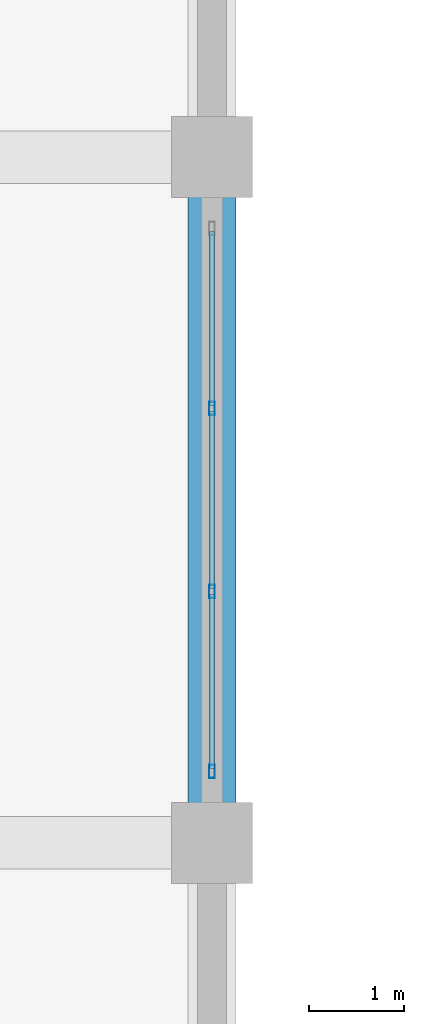
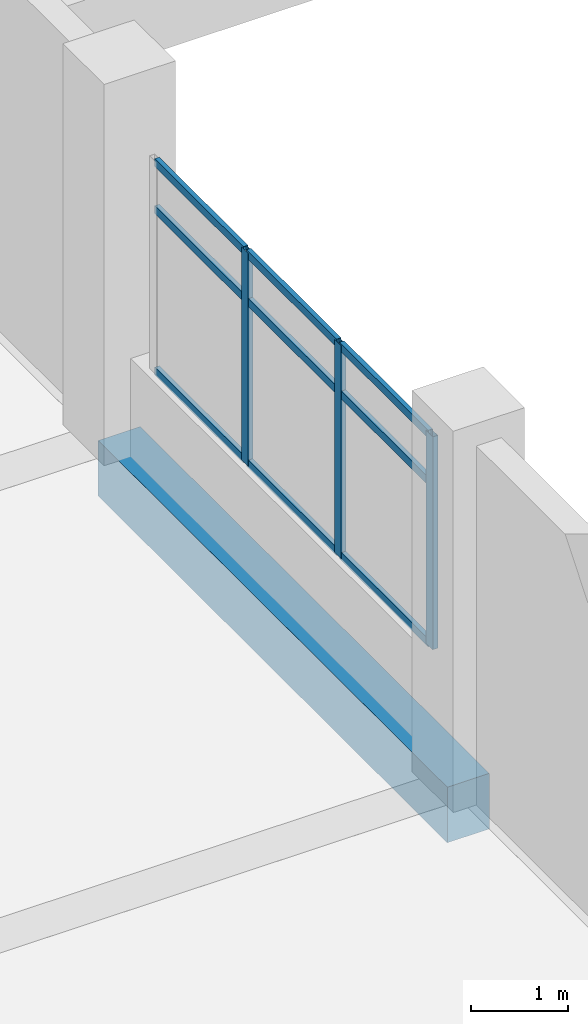
# One storey, part 28 of 181: 12 members, 1 beam, 1 element without a shape of its own.
"""IFC4 building model written with IfcOpenShell, lengths in metres."""

from ifc_helpers import new_model, si_unit, direction, frame, origin, origin_2d, place, context, subcontext, project, spatial, rectangle, hollow_rectangle, extrude, material, layer, layer_set, material_profile, profile_set, type_object, element, aggregate, save


model = new_model("IFC4")

# Units and contexts
model_context = context("Model", 3, precision=1e-05, world=origin(), true_north=direction((0.0, 1.0)))
body_context = subcontext(model_context, "Body", "Model", "MODEL_VIEW")
ifc_project = project(units=[si_unit("LENGTHUNIT", "METRE"), si_unit("AREAUNIT", "SQUARE_METRE"), si_unit("VOLUMEUNIT", "CUBIC_METRE"), si_unit("PLANEANGLEUNIT", "RADIAN"), si_unit("MASSUNIT", "GRAM", prefix="KILO")], contexts=[model_context])

# Site, building, storey
site_placement = place(None, origin())
site = spatial("IfcSite", under=ifc_project, at=site_placement, CompositionType="ELEMENT")
building_placement = place(site_placement, origin())
building = spatial("IfcBuilding", under=site, at=building_placement, Name="Seraya Terrace Polytechnic", CompositionType="ELEMENT")
storey_placement = place(building_placement, frame((0.0, 0.0, 4.800048828125)))
storey = spatial("IfcBuildingStorey", under=building, at=storey_placement, Name="L01", CompositionType="ELEMENT", Elevation=4.800048828125)

# Beam
ifc_material_1 = material(Name="Concrete C40/50", Category="concrete")
ifc_material_profile_1 = material_profile(ifc_material_1, rectangle(XDim=0.5, YDim=0.699951171875, at=origin_2d()), Name="RC 500x700")
ifc_profile_set_1 = profile_set([ifc_material_profile_1], Name="Concrete C40/50")
beam_type = type_object("IfcBeamType", Name="BM-07", PredefinedType="BEAM", material=ifc_profile_set_1)
beam_placement = place(storey_placement, frame((43.199951171875, 50.39990234375, -0.35009765625), z_axis=(0.0, 1.0, 0.0), x_axis=(-1.0, 0.0, 0.0)))
element("IfcBeam", 1, at=beam_placement, inside=storey, type_object=beam_type, Name="Beam BM-07 L01 Y (43.2, 50.4..57.6)", PredefinedType="BEAM", context=body_context, shape_type="SweptSolid", body=[
    extrude(rectangle(XDim=0.5, YDim=0.699951171875, at=origin_2d()), origin(), (0.0, 0.0, 1.0), 7.2001953125),
])

# Curtain wall, members
ifc_material_2 = material(Name="Anodised aluminium EN AW-6063 T6", Category="aluminium")
ifc_layer = layer(ifc_material_2, 0.179931640625, Name="CW-36")
ifc_layer_set = layer_set([ifc_layer], Name="Anodised aluminium EN AW-6063 T6")
curtain_wall_type = type_object("IfcCurtainWallType", Name="CW-36", PredefinedType="NOTDEFINED", material=ifc_layer_set)
curtain_wall_placement = place(storey_placement, origin())
curtain_wall = element("IfcCurtainWall", 2, at=curtain_wall_placement, inside=storey, type_object=curtain_wall_type, Name="Unitised curtain wall CW-36 (CW-L01-036)", PredefinedType="NOTDEFINED")
ifc_material_profile_2 = material_profile(ifc_material_2, hollow_rectangle(XDim=0.06005859375, YDim=0.139892578125, WallThickness=0.00341796875, at=origin_2d()), Name="RHS 140x60x3.5")
ifc_profile_set_2 = profile_set([ifc_material_profile_2], Name="Anodised aluminium EN AW-6063 T6")
member_type_1 = type_object("IfcMemberType", Name="CWM-03", PredefinedType="MULLION", material=ifc_profile_set_2)
member_1_placement = place(storey_placement, frame((43.199951171875, 54.9599609375, 1.239990234375), z_axis=(0.0, 0.0, 1.0), x_axis=(1.0, 0.0, 0.0)))
member_1 = element("IfcMember", 3, at=member_1_placement, type_object=member_type_1, Name="CW-36 mullion 2", PredefinedType="MULLION", context=body_context, shape_type="SweptSolid", body=[
    extrude(hollow_rectangle(XDim=0.06005859375, YDim=0.139892578125, WallThickness=0.00341796875, at=origin_2d()), origin(), (0.0, 0.0, 1.0), 2.679931640625),
])
member_2_placement = place(storey_placement, frame((43.199951171875, 53.0400390625, 1.239990234375), z_axis=(0.0, 0.0, 1.0), x_axis=(1.0, 0.0, 0.0)))
member_2 = element("IfcMember", 4, at=member_2_placement, type_object=member_type_1, Name="CW-36 mullion 3", PredefinedType="MULLION", context=body_context, shape_type="SweptSolid", body=[
    extrude(hollow_rectangle(XDim=0.06005859375, YDim=0.139892578125, WallThickness=0.00341796875, at=origin_2d()), origin(), (0.0, 0.0, 1.0), 2.679931640625),
])
member_3_placement = place(storey_placement, frame((43.199951171875, 51.14990234375, 1.239990234375), z_axis=(0.0, 0.0, 1.0), x_axis=(1.0, 0.0, 0.0)))
member_3 = element("IfcMember", 5, at=member_3_placement, type_object=member_type_1, Name="CW-36 mullion 4", PredefinedType="MULLION", context=body_context, shape_type="SweptSolid", body=[
    extrude(hollow_rectangle(XDim=0.06005859375, YDim=0.139892578125, WallThickness=0.00341796875, at=origin_2d()), origin(), (0.0, 0.0, 1.0), 2.679931640625),
])
ifc_material_profile_3 = material_profile(ifc_material_2, hollow_rectangle(XDim=0.054931640625, YDim=0.10009765625, WallThickness=0.0029296875, at=origin_2d()), Name="RHS 100x55x3.0")
ifc_profile_set_3 = profile_set([ifc_material_profile_3], Name="Anodised aluminium EN AW-6063 T6")
member_type_2 = type_object("IfcMemberType", Name="CWT-03", PredefinedType="USERDEFINED", material=ifc_profile_set_3)
member_4_placement = place(storey_placement, frame((43.199951171875, 56.820068359375, 1.267333984375), z_axis=(0.0, -1.0, 0.0), x_axis=(1.0, 0.0, 0.0)))
member_4 = element("IfcMember", 6, at=member_4_placement, type_object=member_type_2, Name="CW-36 transom 1.1", ObjectType="TRANSOM", PredefinedType="USERDEFINED", context=body_context, shape_type="SweptSolid", body=[
    extrude(hollow_rectangle(XDim=0.054931640625, YDim=0.10009765625, WallThickness=0.0029296875, at=origin_2d()), origin(), (0.0, 0.0, 1.0), 1.830078125),
])
member_5_placement = place(storey_placement, frame((43.199951171875, 56.820068359375, 3.300048828125), z_axis=(0.0, -1.0, 0.0), x_axis=(1.0, 0.0, 0.0)))
member_5 = element("IfcMember", 7, at=member_5_placement, type_object=member_type_2, Name="CW-36 transom 1.2", ObjectType="TRANSOM", PredefinedType="USERDEFINED", context=body_context, shape_type="SweptSolid", body=[
    extrude(hollow_rectangle(XDim=0.054931640625, YDim=0.10009765625, WallThickness=0.0029296875, at=origin_2d()), origin(), (0.0, 0.0, 1.0), 1.830078125),
])
member_6_placement = place(storey_placement, frame((43.199951171875, 56.820068359375, 3.892333984375), z_axis=(0.0, -1.0, 0.0), x_axis=(1.0, 0.0, 0.0)))
member_6 = element("IfcMember", 8, at=member_6_placement, type_object=member_type_2, Name="CW-36 transom 1.3", ObjectType="TRANSOM", PredefinedType="USERDEFINED", context=body_context, shape_type="SweptSolid", body=[
    extrude(hollow_rectangle(XDim=0.054931640625, YDim=0.10009765625, WallThickness=0.0029296875, at=origin_2d()), origin(), (0.0, 0.0, 1.0), 1.830078125),
])
member_7_placement = place(storey_placement, frame((43.199951171875, 54.929931640625, 1.267333984375), z_axis=(0.0, -1.0, 0.0), x_axis=(1.0, 0.0, 0.0)))
member_7 = element("IfcMember", 9, at=member_7_placement, type_object=member_type_2, Name="CW-36 transom 2.1", ObjectType="TRANSOM", PredefinedType="USERDEFINED", context=body_context, shape_type="SweptSolid", body=[
    extrude(hollow_rectangle(XDim=0.054931640625, YDim=0.10009765625, WallThickness=0.0029296875, at=origin_2d()), origin(), (0.0, 0.0, 1.0), 1.85986328125),
])
member_8_placement = place(storey_placement, frame((43.199951171875, 54.929931640625, 3.300048828125), z_axis=(0.0, -1.0, 0.0), x_axis=(1.0, 0.0, 0.0)))
member_8 = element("IfcMember", 10, at=member_8_placement, type_object=member_type_2, Name="CW-36 transom 2.2", ObjectType="TRANSOM", PredefinedType="USERDEFINED", context=body_context, shape_type="SweptSolid", body=[
    extrude(hollow_rectangle(XDim=0.054931640625, YDim=0.10009765625, WallThickness=0.0029296875, at=origin_2d()), origin(), (0.0, 0.0, 1.0), 1.85986328125),
])
member_9_placement = place(storey_placement, frame((43.199951171875, 54.929931640625, 3.892333984375), z_axis=(0.0, -1.0, 0.0), x_axis=(1.0, 0.0, 0.0)))
member_9 = element("IfcMember", 11, at=member_9_placement, type_object=member_type_2, Name="CW-36 transom 2.3", ObjectType="TRANSOM", PredefinedType="USERDEFINED", context=body_context, shape_type="SweptSolid", body=[
    extrude(hollow_rectangle(XDim=0.054931640625, YDim=0.10009765625, WallThickness=0.0029296875, at=origin_2d()), origin(), (0.0, 0.0, 1.0), 1.85986328125),
])
member_10_placement = place(storey_placement, frame((43.199951171875, 53.010009765625, 1.267333984375), z_axis=(0.0, -1.0, 0.0), x_axis=(1.0, 0.0, 0.0)))
member_10 = element("IfcMember", 12, at=member_10_placement, type_object=member_type_2, Name="CW-36 transom 3.1", ObjectType="TRANSOM", PredefinedType="USERDEFINED", context=body_context, shape_type="SweptSolid", body=[
    extrude(hollow_rectangle(XDim=0.054931640625, YDim=0.10009765625, WallThickness=0.0029296875, at=origin_2d()), origin(), (0.0, 0.0, 1.0), 1.830078125),
])
member_11_placement = place(storey_placement, frame((43.199951171875, 53.010009765625, 3.300048828125), z_axis=(0.0, -1.0, 0.0), x_axis=(1.0, 0.0, 0.0)))
member_11 = element("IfcMember", 13, at=member_11_placement, type_object=member_type_2, Name="CW-36 transom 3.2", ObjectType="TRANSOM", PredefinedType="USERDEFINED", context=body_context, shape_type="SweptSolid", body=[
    extrude(hollow_rectangle(XDim=0.054931640625, YDim=0.10009765625, WallThickness=0.0029296875, at=origin_2d()), origin(), (0.0, 0.0, 1.0), 1.830078125),
])
member_12_placement = place(storey_placement, frame((43.199951171875, 53.010009765625, 3.892333984375), z_axis=(0.0, -1.0, 0.0), x_axis=(1.0, 0.0, 0.0)))
member_12 = element("IfcMember", 14, at=member_12_placement, type_object=member_type_2, Name="CW-36 transom 3.3", ObjectType="TRANSOM", PredefinedType="USERDEFINED", context=body_context, shape_type="SweptSolid", body=[
    extrude(hollow_rectangle(XDim=0.054931640625, YDim=0.10009765625, WallThickness=0.0029296875, at=origin_2d()), origin(), (0.0, 0.0, 1.0), 1.830078125),
])
aggregate(curtain_wall, [member_1, member_2, member_3, member_4, member_5, member_6, member_7, member_8, member_9, member_10, member_11, member_12])

save(model, "model.ifc")
